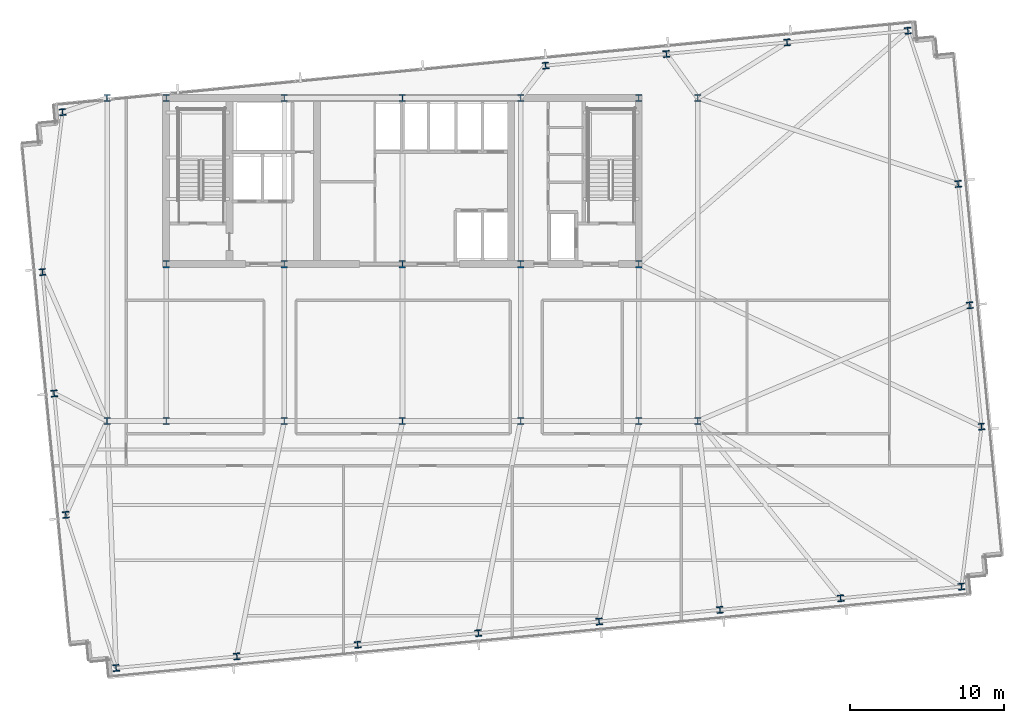
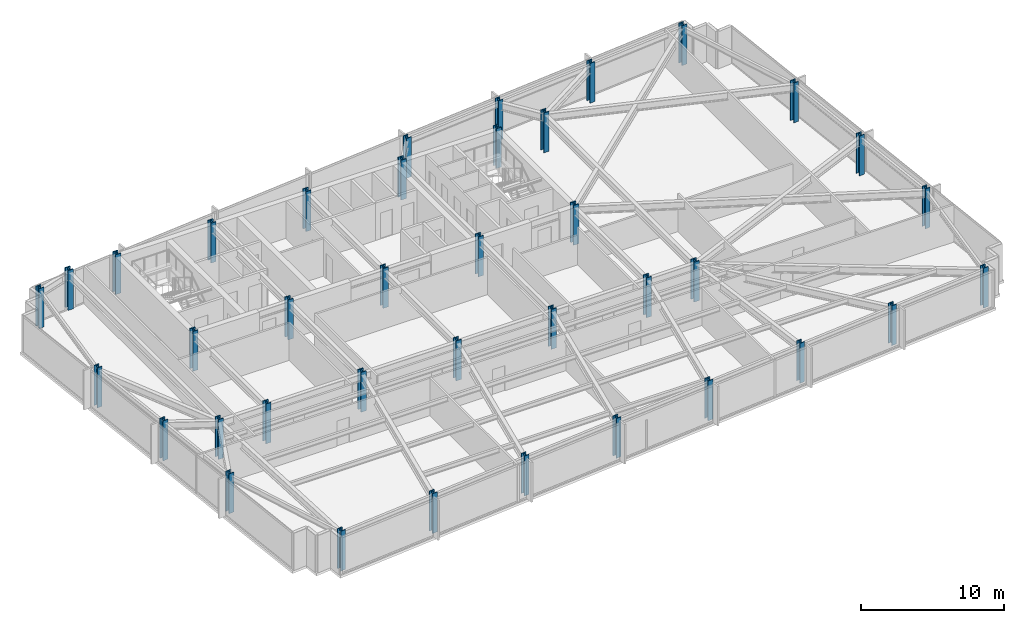
# One storey, part 1 of 32: 38 columns.
"""IFC4 building model written with IfcOpenShell, lengths in metres."""

import ifcopenshell
import ifcopenshell.guid

model = None  # the IFC model being written
_history = None  # IfcOwnerHistory: only IFC2X3 demands one
_inside = {}  # id of a spatial element -> (the spatial element, [elements in it])
_under = {}  # id of a project, library or spatial element -> (it, [spatial elements below it])
_declared = {}  # id of a project -> (the project, [libraries it declares])
_typed = {}  # id of a type object -> (the type object, [elements of that type])
_made_of = {}  # id of a material, layer set ... -> (it, [elements and type objects made of it])


def new_model(schema):
    """Start an empty IFC model of exactly this schema.

    Asked for "IFC4X3", IfcOpenShell would pick the latest addendum, in which some entities
    have other attributes; the version numbers below select the first issue.
    IFC2X3 requires an IfcOwnerHistory on every rooted entity: one is made here for all.
    """
    global model, _history
    if schema == "IFC4X3":
        model = ifcopenshell.file(schema_version=(4, 3, 0, 0))
    else:
        model = ifcopenshell.file(schema=schema)
    _inside.clear()
    _under.clear()
    _declared.clear()
    _typed.clear()
    _made_of.clear()
    _history = None
    if model.schema == "IFC2X3":
        org = make("IfcOrganization", Name="unknown")
        user = make(
            "IfcPersonAndOrganization",
            ThePerson=make("IfcPerson", FamilyName="unknown"),
            TheOrganization=org,
        )
        app = make(
            "IfcApplication",
            ApplicationDeveloper=org,
            Version="unknown",
            ApplicationFullName="unknown",
            ApplicationIdentifier="unknown",
        )
        _history = make(
            "IfcOwnerHistory",
            OwningUser=user,
            OwningApplication=app,
            ChangeAction="ADDED",
            CreationDate=0,
        )
    return model


def make(cls, **values):
    """One entity of the class cls with the attributes given. An attribute that is None is left unset."""
    return model.create_entity(
        cls, **{name: value for name, value in values.items() if value is not None}
    )


def rooted(cls, **values):
    """An entity with a GlobalId (a new one), such as an element, a storey or a relation."""
    return make(cls, GlobalId=ifcopenshell.guid.new(), OwnerHistory=_history, **values)


def si_unit(unit_type, name, prefix=None):
    """IfcSIUnit, for example si_unit("LENGTHUNIT", "METRE", prefix="MILLI")."""
    return make("IfcSIUnit", UnitType=unit_type, Prefix=prefix, Name=name)


def assignment(units):
    """IfcUnitAssignment: the units of a project."""
    return None if units is None else make("IfcUnitAssignment", Units=units)


def point(xyz):
    """IfcCartesianPoint."""
    return None if xyz is None else make("IfcCartesianPoint", Coordinates=xyz)


def direction(xyz):
    """IfcDirection."""
    return None if xyz is None else make("IfcDirection", DirectionRatios=xyz)


def frame(location, z_axis=None, x_axis=None):
    """IfcAxis2Placement3D, a coordinate frame: its origin and axes. An axis left out is left unset."""
    return make(
        "IfcAxis2Placement3D",
        Location=point(location),
        Axis=direction(z_axis),
        RefDirection=direction(x_axis),
    )


def frame_2d(location, x_axis=None):
    """IfcAxis2Placement2D, a coordinate frame in the plane: its origin and x axis."""
    return make(
        "IfcAxis2Placement2D", Location=point(location), RefDirection=direction(x_axis)
    )


def origin():
    """The frame at (0, 0, 0) with its axes left unset."""
    return frame((0.0, 0.0, 0.0))


def origin_2d():
    """The frame at (0, 0) in the plane with its x axis left unset."""
    return frame_2d((0.0, 0.0))


def place(relative_to, where):
    """IfcLocalPlacement: puts the frame where relative to a parent placement (None: the world)."""
    return make(
        "IfcLocalPlacement", PlacementRelTo=relative_to, RelativePlacement=where
    )


def context(
    kind, dimensions, precision=None, world=None, true_north=None, identifier=None
):
    """IfcGeometricRepresentationContext, for example the 3D "Model" context."""
    return make(
        "IfcGeometricRepresentationContext",
        ContextIdentifier=identifier,
        ContextType=kind,
        CoordinateSpaceDimension=dimensions,
        Precision=precision,
        WorldCoordinateSystem=world,
        TrueNorth=true_north,
    )


def subcontext(parent, identifier, kind, view, scale=None):
    """IfcGeometricRepresentationSubContext, for example "Body" below "Model"."""
    return make(
        "IfcGeometricRepresentationSubContext",
        ContextIdentifier=identifier,
        ContextType=kind,
        ParentContext=parent,
        TargetScale=scale,
        TargetView=view,
    )


def project(units=None, contexts=None):
    """IfcProject with its units and contexts."""
    return rooted(
        "IfcProject",
        Name="project",
        RepresentationContexts=contexts,
        UnitsInContext=assignment(units),
    )


def spatial(cls, under=None, at=None, **own):
    """A site, building, storey or space (cls), placed at a placement, below another one or the project."""
    s = rooted(cls, ObjectPlacement=at, **own)
    if under is not None:
        _under.setdefault(under.id(), (under, []))[1].append(s)
    return s


def profile(cls, at=None, kind="AREA", **sizes):
    """A parametric profile (cls). Its sizes go by their IFC names, for example OverallWidth=200.0."""
    return make(cls, ProfileType=kind, Position=at, **sizes)


def i_section(**sizes):
    """IfcIShapeProfileDef."""
    return profile("IfcIShapeProfileDef", **sizes)


def extrude(swept, where, along, depth):
    """IfcExtrudedAreaSolid: the profile swept, set in the frame where, extruded along a direction by depth."""
    return make(
        "IfcExtrudedAreaSolid",
        SweptArea=swept,
        Position=where,
        ExtrudedDirection=direction(along),
        Depth=depth,
    )


def shape(context_of_items, identifier, shape_type, items):
    """IfcShapeRepresentation: the items that make up one representation, for example the "Body"."""
    return make(
        "IfcShapeRepresentation",
        ContextOfItems=context_of_items,
        RepresentationIdentifier=identifier,
        RepresentationType=shape_type,
        Items=items,
    )


def material(Name=None, Category=None):
    """IfcMaterial."""
    return make("IfcMaterial", Name=Name, Category=Category)


def material_profile(
    of_material, cross_section, Name=None, Category=None, Priority=None
):
    """IfcMaterialProfile: a cross section and its material."""
    return make(
        "IfcMaterialProfile",
        Name=Name,
        Material=of_material,
        Profile=cross_section,
        Priority=Priority,
        Category=Category,
    )


def profile_set(profiles, Name=None, composite=None):
    """IfcMaterialProfileSet."""
    return make(
        "IfcMaterialProfileSet",
        Name=Name,
        MaterialProfiles=profiles,
        CompositeProfile=composite,
    )


def made_of(thing, what):
    """Note that an element or type object is made of a material, layer set ...; save() writes the relation."""
    if what is not None:
        _made_of.setdefault(what.id(), (what, []))[1].append(thing)
    return thing


def type_object(cls, material=None, **own):
    """A type object (cls), such as IfcWallType, which elements share."""
    return made_of(rooted(cls, **own), material)


def element(
    cls,
    number,
    at=None,
    inside=None,
    cuts=None,
    type_object=None,
    material=None,
    context=None,
    identifier="Body",
    shape_type=None,
    held_by="IfcProductDefinitionShape",
    body=None,
    shapes=None,
    **own,
):
    """One element of the class cls, such as IfcWall. Its Tag is "e" and its number.

    at: its placement. inside: the storey or other place that contains it. cuts: it is an
    opening in that element (IfcRelVoidsElement). A single representation is given by context,
    identifier, shape_type and body (its items); several are given by shapes. held_by: the class
    of the entity that holds the representations. save() writes the other relations.
    """
    e = rooted(cls, Tag="e%d" % number, ObjectPlacement=at, **own)
    if body is not None:
        shapes = [shape(context, identifier, shape_type, body)]
    if shapes is not None:
        e.Representation = make(held_by, Representations=shapes)
    if inside is not None:
        _inside.setdefault(inside.id(), (inside, []))[1].append(e)
    if cuts is not None:
        rooted(
            "IfcRelVoidsElement", RelatingBuildingElement=cuts, RelatedOpeningElement=e
        )
    if type_object is not None:
        _typed.setdefault(type_object.id(), (type_object, []))[1].append(e)
    return made_of(e, material)


def aggregate(whole, parts):
    """IfcRelAggregates: a whole, such as a stair, and the parts it consists of."""
    return rooted("IfcRelAggregates", RelatingObject=whole, RelatedObjects=parts)


def save(model, path):
    """Write the relations noted so far, then the file.

    IfcRelAggregates (storeys below a building ...), IfcRelContainedInSpatialStructure (elements
    in a storey), IfcRelDefinesByType, IfcRelAssociatesMaterial and IfcRelDeclares: one each for
    every whole, place, type object, material and project.
    """
    for whole, parts in _under.values():
        aggregate(whole, parts)
    for where, things in _inside.values():
        rooted(
            "IfcRelContainedInSpatialStructure",
            RelatedElements=things,
            RelatingStructure=where,
        )
    for kind, things in _typed.values():
        rooted("IfcRelDefinesByType", RelatedObjects=things, RelatingType=kind)
    for what, things in _made_of.values():
        rooted("IfcRelAssociatesMaterial", RelatedObjects=things, RelatingMaterial=what)
    for by, libraries in _declared.values():
        rooted("IfcRelDeclares", RelatingContext=by, RelatedDefinitions=libraries)
    model.write(path)


model = new_model("IFC4")

# Units and contexts
model_context = context("Model", 3, precision=1e-05, world=origin(), true_north=direction((0.0, 1.0)))
body_context = subcontext(model_context, "Body", "Model", "MODEL_VIEW")
ifc_project = project(units=[si_unit("LENGTHUNIT", "METRE"), si_unit("AREAUNIT", "SQUARE_METRE"), si_unit("VOLUMEUNIT", "CUBIC_METRE"), si_unit("PLANEANGLEUNIT", "RADIAN"), si_unit("MASSUNIT", "GRAM", prefix="KILO")], contexts=[model_context])

# Site, building, storey
site_placement = place(None, origin())
site = spatial("IfcSite", under=ifc_project, at=site_placement, CompositionType="ELEMENT")
building_placement = place(site_placement, origin())
building = spatial("IfcBuilding", under=site, at=building_placement, Name="Yelkora Congress Tower", CompositionType="ELEMENT")
storey_placement = place(building_placement, frame((0.0, 0.0, 99.89990234375)))
storey = spatial("IfcBuildingStorey", under=building, at=storey_placement, Name="L26", CompositionType="ELEMENT", Elevation=99.89990234375)

# Columns
ifc_material = material(Name="Steel S460M", Category="steel")
ifc_material_profile_1 = material_profile(ifc_material, i_section(OverallWidth=0.412109375, OverallDepth=0.43505859375, WebThickness=0.035888671875, FlangeThickness=0.05810546875, FilletRadius=0.014892578125, at=origin_2d()), Name="HD 400x463")
ifc_profile_set_1 = profile_set([ifc_material_profile_1], Name="Steel S460M")
column_type_1 = type_object("IfcColumnType", Name="COL-HD-463-EXT", PredefinedType="COLUMN", material=ifc_profile_set_1)
for number, where, z_axis, x_axis, name in (
    (1, (19.785888671875, 9.144287109375, 0.0), (0.0, 0.0, 1.0), (0.995396198367, 0.09584575252, 0.0), "L26 Perimeter Column S01"),
    (2, (27.635498046875, 9.900146484375, 0.0), (0.0, 0.0, 1.0), (0.995396198367, 0.09584575252, 0.0), "L26 Perimeter Column S02"),
    (3, (35.48486328125, 10.656005859375, 0.0), (0.0, 0.0, 1.0), (0.995396198367, 0.09584575252, 0.0), "L26 Perimeter Column S03"),
    (4, (43.334228515625, 11.411865234375, 0.0), (0.0, 0.0, 1.0), (0.995396198367, 0.09584575252, 0.0), "L26 Perimeter Column S04"),
    (5, (51.18359375, 12.16748046875, 0.0), (0.0, 0.0, 1.0), (0.995396198367, 0.09584575252, 0.0), "L26 Perimeter Column S05"),
    (6, (59.033203125, 12.92333984375, 0.0), (0.0, 0.0, 1.0), (0.995396198367, 0.09584575252, 0.0), "L26 Perimeter Column S06"),
    (7, (66.882568359375, 13.67919921875, 0.0), (0.0, 0.0, 1.0), (0.995396198367, 0.09584575252, 0.0), "L26 Perimeter Column S07"),
    (8, (74.73193359375, 14.43505859375, 0.0), (0.0, 0.0, 1.0), (0.995396198367, 0.09584575252, 0.0), "L26 Perimeter Column S08"),
    (9, (16.306884765625, 45.27734375, 0.0), (0.0, 0.0, 1.0), (0.995396198367, 0.09584575252, 0.0), "L26 Perimeter Column N01"),
    (10, (47.70458984375, 48.300537109375, 0.0), (0.0, 0.0, 1.0), (0.995396198367, 0.09584575252, 0.0), "L26 Perimeter Column N05"),
    (11, (55.553955078125, 49.056396484375, 0.0), (0.0, 0.0, 1.0), (0.995396198367, 0.09584575252, 0.0), "L26 Perimeter Column N06"),
    (12, (63.4033203125, 49.81201171875, 0.0), (0.0, 0.0, 1.0), (0.995396198367, 0.09584575252, 0.0), "L26 Perimeter Column N07"),
    (13, (71.252685546875, 50.568115234375, 0.0), (0.0, 0.0, 1.0), (0.995396198367, 0.09584575252, 0.0), "L26 Perimeter Column N08"),
    (14, (16.5166015625, 19.101806640625, 0.0), (0.0, 0.0, 1.0), (0.995396198367, 0.09584575252, 0.0), "L26 Perimeter Column W01"),
    (15, (76.041259765625, 24.83349609375, 0.0), (0.0, 0.0, 1.0), (0.995396198367, 0.09584575252, 0.0), "L26 Perimeter Column E01"),
    (16, (15.757080078125, 26.990478515625, 0.0), (0.0, 0.0, 1.0), (0.995396198367, 0.09584575252, 0.0), "L26 Perimeter Column W02"),
    (17, (75.28173828125, 32.721923828125, 0.0), (0.0, 0.0, 1.0), (0.995396198367, 0.09584575252, 0.0), "L26 Perimeter Column E02"),
    (18, (14.997314453125, 34.87890625, 0.0), (0.0, 0.0, 1.0), (0.995396198367, 0.09584575252, 0.0), "L26 Perimeter Column W03"),
    (19, (74.522216796875, 40.610595703125, 0.0), (0.0, 0.0, 1.0), (0.995396198367, 0.09584575252, 0.0), "L26 Perimeter Column E03"),
):
    element("IfcColumn", number, at=place(storey_placement, frame(where, z_axis=z_axis, x_axis=x_axis)), inside=storey, type_object=column_type_1, Name=name, PredefinedType="COLUMN", context=body_context, shape_type="SweptSolid", body=[
        extrude(i_section(OverallWidth=0.412109375, OverallDepth=0.43505859375, WebThickness=0.035888671875, FlangeThickness=0.05810546875, FilletRadius=0.014892578125, at=origin_2d()), origin(), (0.0, 0.0, 1.0), 3.400146484375),
    ])
ifc_material_profile_2 = material_profile(ifc_material, i_section(OverallWidth=0.424072265625, OverallDepth=0.47412109375, WebThickness=0.047119140625, FlangeThickness=0.076904296875, FilletRadius=0.014892578125, at=origin_2d()), Name="HD 400x634")
ifc_profile_set_2 = profile_set([ifc_material_profile_2], Name="Steel S460M")
column_type_2 = type_object("IfcColumnType", Name="COL-HD-634", PredefinedType="COLUMN", material=ifc_profile_set_2)
for number, where, z_axis, x_axis, name in (
    (20, (23.0400390625, 35.39990234375, 0.0), (0.0, 0.0, 1.0), (1.0, 0.0, 0.0), "L26 Mega Column MC-S1"),
    (21, (23.0400390625, 46.199951171875, 0.0), (0.0, 0.0, 1.0), (1.0, 0.0, 0.0), "L26 Mega Column MC-N1"),
    (22, (23.0400390625, 25.199951171875, 0.0), (0.0, 0.0, 1.0), (1.0, 0.0, 0.0), "L26 Mega Column MC-D1"),
    (23, (30.719970703125, 35.39990234375, 0.0), (0.0, 0.0, 1.0), (1.0, 0.0, 0.0), "L26 Mega Column MC-S2"),
    (24, (30.719970703125, 46.199951171875, 0.0), (0.0, 0.0, 1.0), (1.0, 0.0, 0.0), "L26 Mega Column MC-N2"),
    (25, (30.719970703125, 25.199951171875, 0.0), (0.0, 0.0, 1.0), (1.0, 0.0, 0.0), "L26 Mega Column MC-D2"),
    (26, (38.39990234375, 35.39990234375, 0.0), (0.0, 0.0, 1.0), (1.0, 0.0, 0.0), "L26 Mega Column MC-S3"),
    (27, (38.39990234375, 46.199951171875, 0.0), (0.0, 0.0, 1.0), (1.0, 0.0, 0.0), "L26 Mega Column MC-N3"),
    (28, (38.39990234375, 25.199951171875, 0.0), (0.0, 0.0, 1.0), (1.0, 0.0, 0.0), "L26 Mega Column MC-D3"),
    (29, (46.080078125, 35.39990234375, 0.0), (0.0, 0.0, 1.0), (1.0, 0.0, 0.0), "L26 Mega Column MC-S4"),
    (30, (46.080078125, 46.199951171875, 0.0), (0.0, 0.0, 1.0), (1.0, 0.0, 0.0), "L26 Mega Column MC-N4"),
    (31, (46.080078125, 25.199951171875, 0.0), (0.0, 0.0, 1.0), (1.0, 0.0, 0.0), "L26 Mega Column MC-D4"),
    (32, (53.760009765625, 35.39990234375, 0.0), (0.0, 0.0, 1.0), (1.0, 0.0, 0.0), "L26 Mega Column MC-S5"),
    (33, (53.760009765625, 46.199951171875, 0.0), (0.0, 0.0, 1.0), (1.0, 0.0, 0.0), "L26 Mega Column MC-N5"),
    (34, (53.760009765625, 25.199951171875, 0.0), (0.0, 0.0, 1.0), (1.0, 0.0, 0.0), "L26 Mega Column MC-D5"),
    (35, (19.199951171875, 25.199951171875, 0.0), (0.0, 0.0, 1.0), (1.0, 0.0, 0.0), "L26 Mega Column MC-F1"),
    (36, (57.60009765625, 25.199951171875, 0.0), (0.0, 0.0, 1.0), (1.0, 0.0, 0.0), "L26 Mega Column MC-F2"),
    (37, (19.199951171875, 46.199951171875, 0.0), (0.0, 0.0, 1.0), (1.0, 0.0, 0.0), "L26 Mega Column MC-F3"),
    (38, (57.60009765625, 46.199951171875, 0.0), (0.0, 0.0, 1.0), (1.0, 0.0, 0.0), "L26 Mega Column MC-F4"),
):
    element("IfcColumn", number, at=place(storey_placement, frame(where, z_axis=z_axis, x_axis=x_axis)), inside=storey, type_object=column_type_2, Name=name, PredefinedType="COLUMN", context=body_context, shape_type="SweptSolid", body=[
        extrude(i_section(OverallWidth=0.424072265625, OverallDepth=0.47412109375, WebThickness=0.047119140625, FlangeThickness=0.076904296875, FilletRadius=0.014892578125, at=origin_2d()), origin(), (0.0, 0.0, 1.0), 3.400146484375),
    ])

save(model, "model.ifc")
